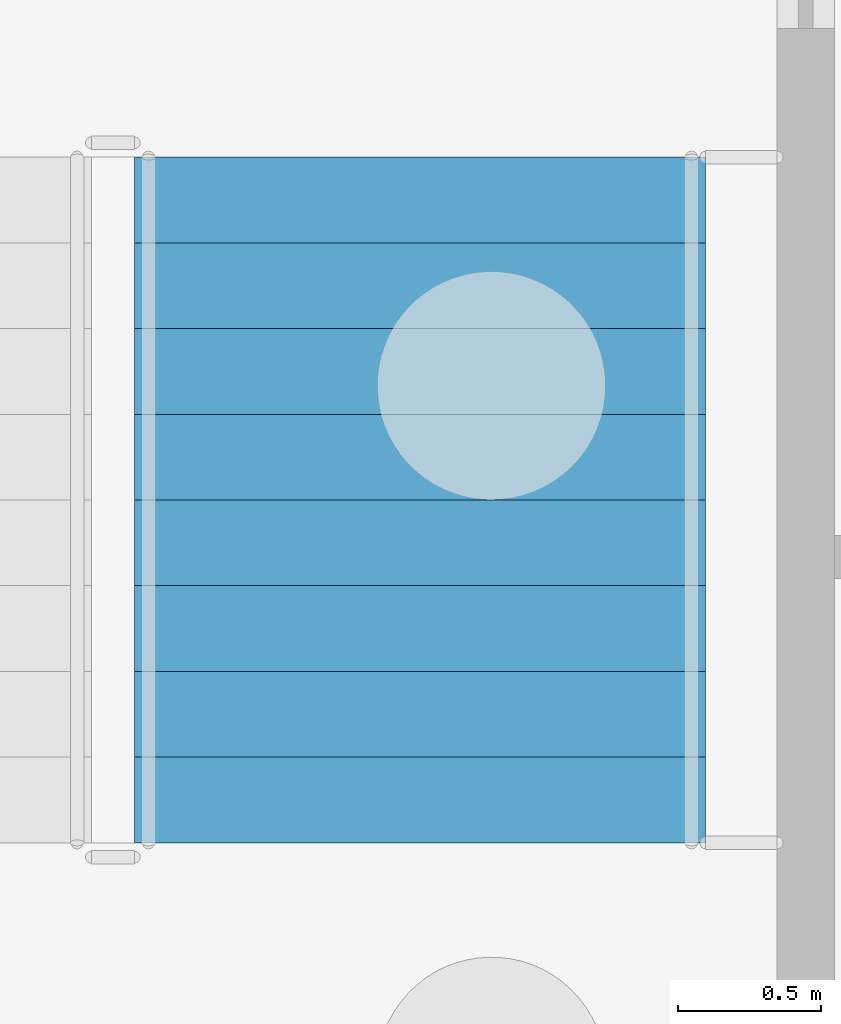
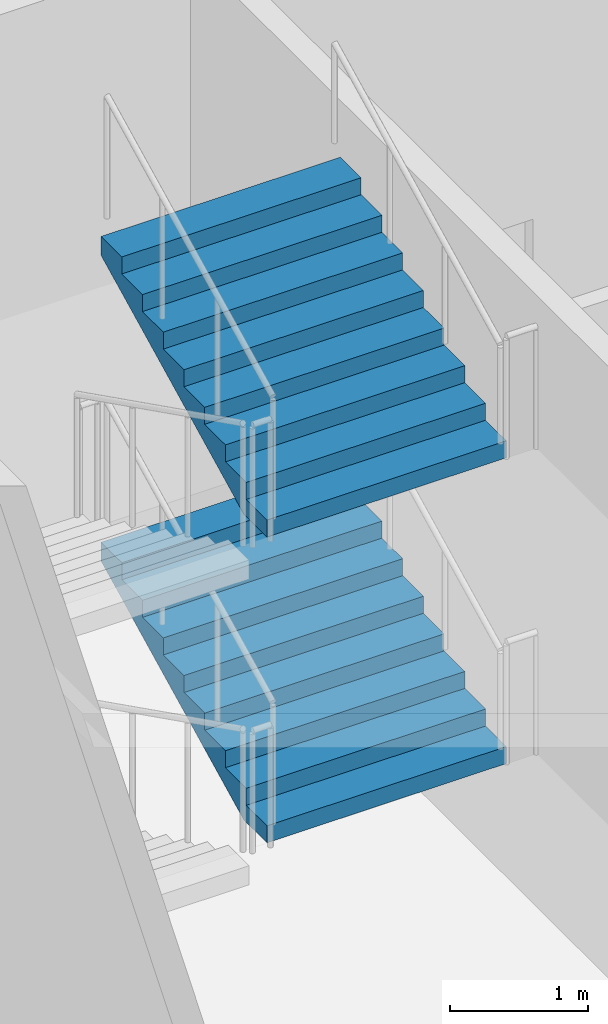
# One storey, part 87 of 129: 2 stair flights, 1 element without a shape of its own.
"""IFC4 building model written with IfcOpenShell, lengths in metres."""

from ifc_helpers import new_model, si_unit, direction, frame, origin, place, context, subcontext, project, spatial, faceted_brep, material, type_object, element, aggregate, save


model = new_model("IFC4")

# Units and contexts
model_context = context("Model", 3, precision=1e-05, world=origin(), true_north=direction((0.0, 1.0)))
body_context = subcontext(model_context, "Body", "Model", "MODEL_VIEW")
ifc_project = project(units=[si_unit("LENGTHUNIT", "METRE"), si_unit("AREAUNIT", "SQUARE_METRE"), si_unit("VOLUMEUNIT", "CUBIC_METRE"), si_unit("PLANEANGLEUNIT", "RADIAN"), si_unit("MASSUNIT", "GRAM", prefix="KILO")], contexts=[model_context])

# Site, building, storey
site_placement = place(None, origin())
site = spatial("IfcSite", under=ifc_project, at=site_placement, CompositionType="ELEMENT")
building_placement = place(site_placement, origin())
building = spatial("IfcBuilding", under=site, at=building_placement, Name="Kiln Court Media Centre", CompositionType="ELEMENT")
storey_placement = place(building_placement, origin())
storey = spatial("IfcBuildingStorey", under=building, at=storey_placement, Name="L00", CompositionType="ELEMENT", Elevation=0.0)

# Stair, stair flights
ifc_material_1 = material(Name="Concrete C40/50", Category="concrete")
stair_type = type_object("IfcStairType", Name="Concrete C40/50 dog-leg stair 2000 wide, 150 riser", PredefinedType="HALF_TURN_STAIR", material=ifc_material_1)
stair_placement = place(storey_placement, origin())
stair = element("IfcStair", 1, at=stair_placement, inside=storey, type_object=stair_type, Name="ST-07 L00", PredefinedType="HALF_TURN_STAIR")
ifc_material_2 = material(Name="Concrete C40/50", Category="concrete")
stair_flight_type = type_object("IfcStairFlightType", Name="Concrete C40/50 stair flight 2000 wide, 150 riser, 300 going", PredefinedType="STRAIGHT", material=ifc_material_2)
stair_flight_1_placement = place(storey_placement, frame((3.35009765625, 62.0, 1.35009765625), z_axis=(0.0, 0.0, 1.0), x_axis=(0.0, 1.0, 0.0)))
stair_flight_1 = element("IfcStairFlight", 2, at=stair_flight_1_placement, type_object=stair_flight_type, Name="L00-ST-5006 flight 5025", NumberOfRisers=9, NumberOfTreads=8, PredefinedType="STRAIGHT", RiserHeight=0.15, TreadLength=0.3, context=body_context, shape_type="Brep", body=[
    faceted_brep([(0.335205078125, -1.0, 0.0), (2.39990234375, -1.0, 1.032470703125), (2.39990234375, -1.0, 1.199951171875), (2.10009765625, -1.0, 1.199951171875), (2.10009765625, -1.0, 1.050048828125), (1.800048828125, -1.0, 1.050048828125), (1.800048828125, -1.0, 0.89990234375), (1.5, -1.0, 0.89990234375), (1.5, -1.0, 0.75), (1.199951171875, -1.0, 0.75), (1.199951171875, -1.0, 0.60009765625), (0.89990234375, -1.0, 0.60009765625), (0.89990234375, -1.0, 0.449951171875), (0.60009765625, -1.0, 0.449951171875), (0.60009765625, -1.0, 0.300048828125), (0.300048828125, -1.0, 0.300048828125), (0.300048828125, -1.0, 0.14990234375), (0.0, -1.0, 0.14990234375), (0.0, -1.0, 0.0), (0.0, 1.0, 0.0), (0.0, 1.0, 0.14990234375), (0.300048828125, 1.0, 0.14990234375), (0.300048828125, 1.0, 0.300048828125), (0.60009765625, 1.0, 0.300048828125), (0.60009765625, 1.0, 0.449951171875), (0.89990234375, 1.0, 0.449951171875), (0.89990234375, 1.0, 0.60009765625), (1.199951171875, 1.0, 0.60009765625), (1.199951171875, 1.0, 0.75), (1.5, 1.0, 0.75), (1.5, 1.0, 0.89990234375), (1.800048828125, 1.0, 0.89990234375), (1.800048828125, 1.0, 1.050048828125), (2.10009765625, 1.0, 1.050048828125), (2.10009765625, 1.0, 1.199951171875), (2.39990234375, 1.0, 1.199951171875), (2.39990234375, 1.0, 1.032470703125), (0.335205078125, 1.0, 0.0), (2.39990234375, 0.10009765625, 1.032470703125), (0.335205078125, 0.10009765625, 0.0), (2.39990234375, 0.080078125, 1.032470703125), (0.335205078125, 0.080078125, 0.0), (2.39990234375, 0.06005859375, 1.032470703125), (0.335205078125, 0.06005859375, 0.0), (2.39990234375, 0.0400390625, 1.032470703125), (0.335205078125, 0.0400390625, 0.0), (2.39990234375, 0.02001953125, 1.032470703125), (0.335205078125, 0.02001953125, 0.0), (2.39990234375, 0.0, 1.032470703125), (0.335205078125, 0.0, 0.0), (2.39990234375, -0.02001953125, 1.032470703125), (0.335205078125, -0.02001953125, 0.0), (2.39990234375, -0.0400390625, 1.032470703125), (0.335205078125, -0.0400390625, 0.0), (2.39990234375, -0.06005859375, 1.032470703125), (0.335205078125, -0.06005859375, 0.0), (2.39990234375, -0.080078125, 1.032470703125), (0.335205078125, -0.080078125, 0.0), (2.39990234375, -0.10009765625, 1.032470703125), (0.335205078125, -0.10009765625, 0.0), (2.39990234375, 0.10009765625, 1.199951171875), (2.39990234375, 0.080078125, 1.199951171875), (2.39990234375, 0.06005859375, 1.199951171875), (2.39990234375, 0.0400390625, 1.199951171875), (2.39990234375, 0.02001953125, 1.199951171875), (2.39990234375, 0.0, 1.199951171875), (2.39990234375, -0.02001953125, 1.199951171875), (2.39990234375, -0.0400390625, 1.199951171875), (2.39990234375, -0.06005859375, 1.199951171875), (2.39990234375, -0.080078125, 1.199951171875), (2.39990234375, -0.10009765625, 1.199951171875), (2.10009765625, 0.10009765625, 1.199951171875), (2.10009765625, 0.080078125, 1.199951171875), (2.10009765625, 0.06005859375, 1.199951171875), (2.10009765625, 0.0400390625, 1.199951171875), (2.10009765625, 0.02001953125, 1.199951171875), (2.10009765625, 0.0, 1.199951171875), (2.10009765625, -0.02001953125, 1.199951171875), (2.10009765625, -0.0400390625, 1.199951171875), (2.10009765625, -0.06005859375, 1.199951171875), (2.10009765625, -0.080078125, 1.199951171875), (2.10009765625, -0.10009765625, 1.199951171875), (2.10009765625, 0.10009765625, 1.050048828125), (2.10009765625, 0.080078125, 1.050048828125), (2.10009765625, 0.06005859375, 1.050048828125), (2.10009765625, 0.0400390625, 1.050048828125), (2.10009765625, 0.02001953125, 1.050048828125), (2.10009765625, 0.0, 1.050048828125), (2.10009765625, -0.02001953125, 1.050048828125), (2.10009765625, -0.0400390625, 1.050048828125), (2.10009765625, -0.06005859375, 1.050048828125), (2.10009765625, -0.080078125, 1.050048828125), (2.10009765625, -0.10009765625, 1.050048828125), (1.800048828125, 0.10009765625, 1.050048828125), (1.800048828125, 0.080078125, 1.050048828125), (1.800048828125, 0.06005859375, 1.050048828125), (1.800048828125, 0.0400390625, 1.050048828125), (1.800048828125, 0.02001953125, 1.050048828125), (1.800048828125, 0.0, 1.050048828125), (1.800048828125, -0.02001953125, 1.050048828125), (1.800048828125, -0.0400390625, 1.050048828125), (1.800048828125, -0.06005859375, 1.050048828125), (1.800048828125, -0.080078125, 1.050048828125), (1.800048828125, -0.10009765625, 1.050048828125), (1.800048828125, 0.10009765625, 0.89990234375), (1.800048828125, 0.080078125, 0.89990234375), (1.800048828125, 0.06005859375, 0.89990234375), (1.800048828125, 0.0400390625, 0.89990234375), (1.800048828125, 0.02001953125, 0.89990234375), (1.800048828125, 0.0, 0.89990234375), (1.800048828125, -0.02001953125, 0.89990234375), (1.800048828125, -0.0400390625, 0.89990234375), (1.800048828125, -0.06005859375, 0.89990234375), (1.800048828125, -0.080078125, 0.89990234375), (1.800048828125, -0.10009765625, 0.89990234375), (1.5, 0.10009765625, 0.89990234375), (1.5, 0.080078125, 0.89990234375), (1.5, 0.06005859375, 0.89990234375), (1.5, 0.0400390625, 0.89990234375), (1.5, 0.02001953125, 0.89990234375), (1.5, 0.0, 0.89990234375), (1.5, -0.02001953125, 0.89990234375), (1.5, -0.0400390625, 0.89990234375), (1.5, -0.06005859375, 0.89990234375), (1.5, -0.080078125, 0.89990234375), (1.5, -0.10009765625, 0.89990234375), (1.5, 0.10009765625, 0.75), (1.5, 0.080078125, 0.75), (1.5, 0.06005859375, 0.75), (1.5, 0.0400390625, 0.75), (1.5, 0.02001953125, 0.75), (1.5, 0.0, 0.75), (1.5, -0.02001953125, 0.75), (1.5, -0.0400390625, 0.75), (1.5, -0.06005859375, 0.75), (1.5, -0.080078125, 0.75), (1.5, -0.10009765625, 0.75), (1.199951171875, 0.10009765625, 0.75), (1.199951171875, 0.080078125, 0.75), (1.199951171875, 0.06005859375, 0.75), (1.199951171875, 0.0400390625, 0.75), (1.199951171875, 0.02001953125, 0.75), (1.199951171875, 0.0, 0.75), (1.199951171875, -0.02001953125, 0.75), (1.199951171875, -0.0400390625, 0.75), (1.199951171875, -0.06005859375, 0.75), (1.199951171875, -0.080078125, 0.75), (1.199951171875, -0.10009765625, 0.75), (1.199951171875, 0.10009765625, 0.60009765625), (1.199951171875, 0.080078125, 0.60009765625), (1.199951171875, 0.06005859375, 0.60009765625), (1.199951171875, 0.0400390625, 0.60009765625), (1.199951171875, 0.02001953125, 0.60009765625), (1.199951171875, 0.0, 0.60009765625), (1.199951171875, -0.02001953125, 0.60009765625), (1.199951171875, -0.0400390625, 0.60009765625), (1.199951171875, -0.06005859375, 0.60009765625), (1.199951171875, -0.080078125, 0.60009765625), (1.199951171875, -0.10009765625, 0.60009765625), (0.89990234375, 0.10009765625, 0.60009765625), (0.89990234375, 0.080078125, 0.60009765625), (0.89990234375, 0.06005859375, 0.60009765625), (0.89990234375, 0.0400390625, 0.60009765625), (0.89990234375, 0.02001953125, 0.60009765625), (0.89990234375, 0.0, 0.60009765625), (0.89990234375, -0.02001953125, 0.60009765625), (0.89990234375, -0.0400390625, 0.60009765625), (0.89990234375, -0.06005859375, 0.60009765625), (0.89990234375, -0.080078125, 0.60009765625), (0.89990234375, -0.10009765625, 0.60009765625), (0.89990234375, 0.10009765625, 0.449951171875), (0.89990234375, 0.080078125, 0.449951171875), (0.89990234375, 0.06005859375, 0.449951171875), (0.89990234375, 0.0400390625, 0.449951171875), (0.89990234375, 0.02001953125, 0.449951171875), (0.89990234375, 0.0, 0.449951171875), (0.89990234375, -0.02001953125, 0.449951171875), (0.89990234375, -0.0400390625, 0.449951171875), (0.89990234375, -0.06005859375, 0.449951171875), (0.89990234375, -0.080078125, 0.449951171875), (0.89990234375, -0.10009765625, 0.449951171875), (0.60009765625, 0.10009765625, 0.449951171875), (0.60009765625, 0.080078125, 0.449951171875), (0.60009765625, 0.06005859375, 0.449951171875), (0.60009765625, 0.0400390625, 0.449951171875), (0.60009765625, 0.02001953125, 0.449951171875), (0.60009765625, 0.0, 0.449951171875), (0.60009765625, -0.02001953125, 0.449951171875), (0.60009765625, -0.0400390625, 0.449951171875), (0.60009765625, -0.06005859375, 0.449951171875), (0.60009765625, -0.080078125, 0.449951171875), (0.60009765625, -0.10009765625, 0.449951171875), (0.60009765625, 0.10009765625, 0.300048828125), (0.60009765625, 0.080078125, 0.300048828125), (0.60009765625, 0.06005859375, 0.300048828125), (0.60009765625, 0.0400390625, 0.300048828125), (0.60009765625, 0.02001953125, 0.300048828125), (0.60009765625, 0.0, 0.300048828125), (0.60009765625, -0.02001953125, 0.300048828125), (0.60009765625, -0.0400390625, 0.300048828125), (0.60009765625, -0.06005859375, 0.300048828125), (0.60009765625, -0.080078125, 0.300048828125), (0.60009765625, -0.10009765625, 0.300048828125), (0.300048828125, 0.10009765625, 0.300048828125), (0.300048828125, 0.080078125, 0.300048828125), (0.300048828125, 0.06005859375, 0.300048828125), (0.300048828125, 0.0400390625, 0.300048828125), (0.300048828125, 0.02001953125, 0.300048828125), (0.300048828125, 0.0, 0.300048828125), (0.300048828125, -0.02001953125, 0.300048828125), (0.300048828125, -0.0400390625, 0.300048828125), (0.300048828125, -0.06005859375, 0.300048828125), (0.300048828125, -0.080078125, 0.300048828125), (0.300048828125, -0.10009765625, 0.300048828125), (0.300048828125, 0.10009765625, 0.14990234375), (0.300048828125, 0.080078125, 0.14990234375), (0.300048828125, 0.06005859375, 0.14990234375), (0.300048828125, 0.0400390625, 0.14990234375), (0.300048828125, 0.02001953125, 0.14990234375), (0.300048828125, 0.0, 0.14990234375), (0.300048828125, -0.02001953125, 0.14990234375), (0.300048828125, -0.0400390625, 0.14990234375), (0.300048828125, -0.06005859375, 0.14990234375), (0.300048828125, -0.080078125, 0.14990234375), (0.300048828125, -0.10009765625, 0.14990234375), (0.0, 0.10009765625, 0.14990234375), (0.0, 0.080078125, 0.14990234375), (0.0, 0.06005859375, 0.14990234375), (0.0, 0.0400390625, 0.14990234375), (0.0, 0.02001953125, 0.14990234375), (0.0, 0.0, 0.14990234375), (0.0, -0.02001953125, 0.14990234375), (0.0, -0.0400390625, 0.14990234375), (0.0, -0.06005859375, 0.14990234375), (0.0, -0.080078125, 0.14990234375), (0.0, -0.10009765625, 0.14990234375), (0.0, 0.10009765625, 0.0), (0.0, 0.080078125, 0.0), (0.0, 0.06005859375, 0.0), (0.0, 0.0400390625, 0.0), (0.0, 0.02001953125, 0.0), (0.0, 0.0, 0.0), (0.0, -0.02001953125, 0.0), (0.0, -0.0400390625, 0.0), (0.0, -0.06005859375, 0.0), (0.0, -0.080078125, 0.0), (0.0, -0.10009765625, 0.0)], [[[0, 1, 2, 3, 4, 5, 6, 7, 8, 9, 10, 11, 12, 13, 14, 15, 16, 17, 18]], [[19, 20, 21, 22, 23, 24, 25, 26, 27, 28, 29, 30, 31, 32, 33, 34, 35, 36, 37]], [[37, 36, 38, 39]], [[39, 38, 40, 41]], [[41, 40, 42, 43]], [[43, 42, 44, 45]], [[45, 44, 46, 47]], [[47, 46, 48, 49]], [[49, 48, 50, 51]], [[51, 50, 52, 53]], [[53, 52, 54, 55]], [[55, 54, 56, 57]], [[57, 56, 58, 59]], [[59, 58, 1, 0]], [[36, 35, 60, 38]], [[38, 60, 61, 40]], [[40, 61, 62, 42]], [[42, 62, 63, 44]], [[44, 63, 64, 46]], [[46, 64, 65, 48]], [[48, 65, 66, 50]], [[50, 66, 67, 52]], [[52, 67, 68, 54]], [[54, 68, 69, 56]], [[56, 69, 70, 58]], [[58, 70, 2, 1]], [[35, 34, 71, 60]], [[60, 71, 72, 61]], [[61, 72, 73, 62]], [[62, 73, 74, 63]], [[63, 74, 75, 64]], [[64, 75, 76, 65]], [[65, 76, 77, 66]], [[66, 77, 78, 67]], [[67, 78, 79, 68]], [[68, 79, 80, 69]], [[69, 80, 81, 70]], [[70, 81, 3, 2]], [[34, 33, 82, 71]], [[71, 82, 83, 72]], [[72, 83, 84, 73]], [[73, 84, 85, 74]], [[74, 85, 86, 75]], [[75, 86, 87, 76]], [[76, 87, 88, 77]], [[77, 88, 89, 78]], [[78, 89, 90, 79]], [[79, 90, 91, 80]], [[80, 91, 92, 81]], [[81, 92, 4, 3]], [[33, 32, 93, 82]], [[82, 93, 94, 83]], [[83, 94, 95, 84]], [[84, 95, 96, 85]], [[85, 96, 97, 86]], [[86, 97, 98, 87]], [[87, 98, 99, 88]], [[88, 99, 100, 89]], [[89, 100, 101, 90]], [[90, 101, 102, 91]], [[91, 102, 103, 92]], [[92, 103, 5, 4]], [[32, 31, 104, 93]], [[93, 104, 105, 94]], [[94, 105, 106, 95]], [[95, 106, 107, 96]], [[96, 107, 108, 97]], [[97, 108, 109, 98]], [[98, 109, 110, 99]], [[99, 110, 111, 100]], [[100, 111, 112, 101]], [[101, 112, 113, 102]], [[102, 113, 114, 103]], [[103, 114, 6, 5]], [[31, 30, 115, 104]], [[104, 115, 116, 105]], [[105, 116, 117, 106]], [[106, 117, 118, 107]], [[107, 118, 119, 108]], [[108, 119, 120, 109]], [[109, 120, 121, 110]], [[110, 121, 122, 111]], [[111, 122, 123, 112]], [[112, 123, 124, 113]], [[113, 124, 125, 114]], [[114, 125, 7, 6]], [[30, 29, 126, 115]], [[115, 126, 127, 116]], [[116, 127, 128, 117]], [[117, 128, 129, 118]], [[118, 129, 130, 119]], [[119, 130, 131, 120]], [[120, 131, 132, 121]], [[121, 132, 133, 122]], [[122, 133, 134, 123]], [[123, 134, 135, 124]], [[124, 135, 136, 125]], [[125, 136, 8, 7]], [[29, 28, 137, 126]], [[126, 137, 138, 127]], [[127, 138, 139, 128]], [[128, 139, 140, 129]], [[129, 140, 141, 130]], [[130, 141, 142, 131]], [[131, 142, 143, 132]], [[132, 143, 144, 133]], [[133, 144, 145, 134]], [[134, 145, 146, 135]], [[135, 146, 147, 136]], [[136, 147, 9, 8]], [[28, 27, 148, 137]], [[137, 148, 149, 138]], [[138, 149, 150, 139]], [[139, 150, 151, 140]], [[140, 151, 152, 141]], [[141, 152, 153, 142]], [[142, 153, 154, 143]], [[143, 154, 155, 144]], [[144, 155, 156, 145]], [[145, 156, 157, 146]], [[146, 157, 158, 147]], [[147, 158, 10, 9]], [[27, 26, 159, 148]], [[148, 159, 160, 149]], [[149, 160, 161, 150]], [[150, 161, 162, 151]], [[151, 162, 163, 152]], [[152, 163, 164, 153]], [[153, 164, 165, 154]], [[154, 165, 166, 155]], [[155, 166, 167, 156]], [[156, 167, 168, 157]], [[157, 168, 169, 158]], [[158, 169, 11, 10]], [[26, 25, 170, 159]], [[159, 170, 171, 160]], [[160, 171, 172, 161]], [[161, 172, 173, 162]], [[162, 173, 174, 163]], [[163, 174, 175, 164]], [[164, 175, 176, 165]], [[165, 176, 177, 166]], [[166, 177, 178, 167]], [[167, 178, 179, 168]], [[168, 179, 180, 169]], [[169, 180, 12, 11]], [[25, 24, 181, 170]], [[170, 181, 182, 171]], [[171, 182, 183, 172]], [[172, 183, 184, 173]], [[173, 184, 185, 174]], [[174, 185, 186, 175]], [[175, 186, 187, 176]], [[176, 187, 188, 177]], [[177, 188, 189, 178]], [[178, 189, 190, 179]], [[179, 190, 191, 180]], [[180, 191, 13, 12]], [[24, 23, 192, 181]], [[181, 192, 193, 182]], [[182, 193, 194, 183]], [[183, 194, 195, 184]], [[184, 195, 196, 185]], [[185, 196, 197, 186]], [[186, 197, 198, 187]], [[187, 198, 199, 188]], [[188, 199, 200, 189]], [[189, 200, 201, 190]], [[190, 201, 202, 191]], [[191, 202, 14, 13]], [[23, 22, 203, 192]], [[192, 203, 204, 193]], [[193, 204, 205, 194]], [[194, 205, 206, 195]], [[195, 206, 207, 196]], [[196, 207, 208, 197]], [[197, 208, 209, 198]], [[198, 209, 210, 199]], [[199, 210, 211, 200]], [[200, 211, 212, 201]], [[201, 212, 213, 202]], [[202, 213, 15, 14]], [[22, 21, 214, 203]], [[203, 214, 215, 204]], [[204, 215, 216, 205]], [[205, 216, 217, 206]], [[206, 217, 218, 207]], [[207, 218, 219, 208]], [[208, 219, 220, 209]], [[209, 220, 221, 210]], [[210, 221, 222, 211]], [[211, 222, 223, 212]], [[212, 223, 224, 213]], [[213, 224, 16, 15]], [[21, 20, 225, 214]], [[214, 225, 226, 215]], [[215, 226, 227, 216]], [[216, 227, 228, 217]], [[217, 228, 229, 218]], [[218, 229, 230, 219]], [[219, 230, 231, 220]], [[220, 231, 232, 221]], [[221, 232, 233, 222]], [[222, 233, 234, 223]], [[223, 234, 235, 224]], [[224, 235, 17, 16]], [[20, 19, 236, 225]], [[225, 236, 237, 226]], [[226, 237, 238, 227]], [[227, 238, 239, 228]], [[228, 239, 240, 229]], [[229, 240, 241, 230]], [[230, 241, 242, 231]], [[231, 242, 243, 232]], [[232, 243, 244, 233]], [[233, 244, 245, 234]], [[234, 245, 246, 235]], [[235, 246, 18, 17]], [[19, 37, 39, 236]], [[236, 39, 41, 237]], [[237, 41, 43, 238]], [[238, 43, 45, 239]], [[239, 45, 47, 240]], [[240, 47, 49, 241]], [[241, 49, 51, 242]], [[242, 51, 53, 243]], [[243, 53, 55, 244]], [[244, 55, 57, 245]], [[245, 57, 59, 246]], [[246, 59, 0, 18]]]),
])
stair_flight_2_placement = place(storey_placement, frame((3.35009765625, 62.0, 4.050048828125), z_axis=(0.0, 0.0, 1.0), x_axis=(0.0, 1.0, 0.0)))
stair_flight_2 = element("IfcStairFlight", 3, at=stair_flight_2_placement, type_object=stair_flight_type, Name="L00-ST-5006 flight 5027", NumberOfRisers=9, NumberOfTreads=8, PredefinedType="STRAIGHT", RiserHeight=0.15, TreadLength=0.3, context=body_context, shape_type="Brep", body=[
    faceted_brep([(0.335205078125, -1.0, 0.0), (2.39990234375, -1.0, 1.032470703125), (2.39990234375, -1.0, 1.199951171875), (2.10009765625, -1.0, 1.199951171875), (2.10009765625, -1.0, 1.050048828125), (1.800048828125, -1.0, 1.050048828125), (1.800048828125, -1.0, 0.89990234375), (1.5, -1.0, 0.89990234375), (1.5, -1.0, 0.75), (1.199951171875, -1.0, 0.75), (1.199951171875, -1.0, 0.60009765625), (0.89990234375, -1.0, 0.60009765625), (0.89990234375, -1.0, 0.449951171875), (0.60009765625, -1.0, 0.449951171875), (0.60009765625, -1.0, 0.300048828125), (0.300048828125, -1.0, 0.300048828125), (0.300048828125, -1.0, 0.14990234375), (0.0, -1.0, 0.14990234375), (0.0, -1.0, 0.0), (0.0, 1.0, 0.0), (0.0, 1.0, 0.14990234375), (0.300048828125, 1.0, 0.14990234375), (0.300048828125, 1.0, 0.300048828125), (0.60009765625, 1.0, 0.300048828125), (0.60009765625, 1.0, 0.449951171875), (0.89990234375, 1.0, 0.449951171875), (0.89990234375, 1.0, 0.60009765625), (1.199951171875, 1.0, 0.60009765625), (1.199951171875, 1.0, 0.75), (1.5, 1.0, 0.75), (1.5, 1.0, 0.89990234375), (1.800048828125, 1.0, 0.89990234375), (1.800048828125, 1.0, 1.050048828125), (2.10009765625, 1.0, 1.050048828125), (2.10009765625, 1.0, 1.199951171875), (2.39990234375, 1.0, 1.199951171875), (2.39990234375, 1.0, 1.032470703125), (0.335205078125, 1.0, 0.0), (2.39990234375, 0.10009765625, 1.032470703125), (0.335205078125, 0.10009765625, 0.0), (2.39990234375, 0.080078125, 1.032470703125), (0.335205078125, 0.080078125, 0.0), (2.39990234375, 0.06005859375, 1.032470703125), (0.335205078125, 0.06005859375, 0.0), (2.39990234375, 0.0400390625, 1.032470703125), (0.335205078125, 0.0400390625, 0.0), (2.39990234375, 0.02001953125, 1.032470703125), (0.335205078125, 0.02001953125, 0.0), (2.39990234375, 0.0, 1.032470703125), (0.335205078125, 0.0, 0.0), (2.39990234375, -0.02001953125, 1.032470703125), (0.335205078125, -0.02001953125, 0.0), (2.39990234375, -0.0400390625, 1.032470703125), (0.335205078125, -0.0400390625, 0.0), (2.39990234375, -0.06005859375, 1.032470703125), (0.335205078125, -0.06005859375, 0.0), (2.39990234375, -0.080078125, 1.032470703125), (0.335205078125, -0.080078125, 0.0), (2.39990234375, -0.10009765625, 1.032470703125), (0.335205078125, -0.10009765625, 0.0), (2.39990234375, 0.10009765625, 1.199951171875), (2.39990234375, 0.080078125, 1.199951171875), (2.39990234375, 0.06005859375, 1.199951171875), (2.39990234375, 0.0400390625, 1.199951171875), (2.39990234375, 0.02001953125, 1.199951171875), (2.39990234375, 0.0, 1.199951171875), (2.39990234375, -0.02001953125, 1.199951171875), (2.39990234375, -0.0400390625, 1.199951171875), (2.39990234375, -0.06005859375, 1.199951171875), (2.39990234375, -0.080078125, 1.199951171875), (2.39990234375, -0.10009765625, 1.199951171875), (2.10009765625, 0.10009765625, 1.199951171875), (2.10009765625, 0.080078125, 1.199951171875), (2.10009765625, 0.06005859375, 1.199951171875), (2.10009765625, 0.0400390625, 1.199951171875), (2.10009765625, 0.02001953125, 1.199951171875), (2.10009765625, 0.0, 1.199951171875), (2.10009765625, -0.02001953125, 1.199951171875), (2.10009765625, -0.0400390625, 1.199951171875), (2.10009765625, -0.06005859375, 1.199951171875), (2.10009765625, -0.080078125, 1.199951171875), (2.10009765625, -0.10009765625, 1.199951171875), (2.10009765625, 0.10009765625, 1.050048828125), (2.10009765625, 0.080078125, 1.050048828125), (2.10009765625, 0.06005859375, 1.050048828125), (2.10009765625, 0.0400390625, 1.050048828125), (2.10009765625, 0.02001953125, 1.050048828125), (2.10009765625, 0.0, 1.050048828125), (2.10009765625, -0.02001953125, 1.050048828125), (2.10009765625, -0.0400390625, 1.050048828125), (2.10009765625, -0.06005859375, 1.050048828125), (2.10009765625, -0.080078125, 1.050048828125), (2.10009765625, -0.10009765625, 1.050048828125), (1.800048828125, 0.10009765625, 1.050048828125), (1.800048828125, 0.080078125, 1.050048828125), (1.800048828125, 0.06005859375, 1.050048828125), (1.800048828125, 0.0400390625, 1.050048828125), (1.800048828125, 0.02001953125, 1.050048828125), (1.800048828125, 0.0, 1.050048828125), (1.800048828125, -0.02001953125, 1.050048828125), (1.800048828125, -0.0400390625, 1.050048828125), (1.800048828125, -0.06005859375, 1.050048828125), (1.800048828125, -0.080078125, 1.050048828125), (1.800048828125, -0.10009765625, 1.050048828125), (1.800048828125, 0.10009765625, 0.89990234375), (1.800048828125, 0.080078125, 0.89990234375), (1.800048828125, 0.06005859375, 0.89990234375), (1.800048828125, 0.0400390625, 0.89990234375), (1.800048828125, 0.02001953125, 0.89990234375), (1.800048828125, 0.0, 0.89990234375), (1.800048828125, -0.02001953125, 0.89990234375), (1.800048828125, -0.0400390625, 0.89990234375), (1.800048828125, -0.06005859375, 0.89990234375), (1.800048828125, -0.080078125, 0.89990234375), (1.800048828125, -0.10009765625, 0.89990234375), (1.5, 0.10009765625, 0.89990234375), (1.5, 0.080078125, 0.89990234375), (1.5, 0.06005859375, 0.89990234375), (1.5, 0.0400390625, 0.89990234375), (1.5, 0.02001953125, 0.89990234375), (1.5, 0.0, 0.89990234375), (1.5, -0.02001953125, 0.89990234375), (1.5, -0.0400390625, 0.89990234375), (1.5, -0.06005859375, 0.89990234375), (1.5, -0.080078125, 0.89990234375), (1.5, -0.10009765625, 0.89990234375), (1.5, 0.10009765625, 0.75), (1.5, 0.080078125, 0.75), (1.5, 0.06005859375, 0.75), (1.5, 0.0400390625, 0.75), (1.5, 0.02001953125, 0.75), (1.5, 0.0, 0.75), (1.5, -0.02001953125, 0.75), (1.5, -0.0400390625, 0.75), (1.5, -0.06005859375, 0.75), (1.5, -0.080078125, 0.75), (1.5, -0.10009765625, 0.75), (1.199951171875, 0.10009765625, 0.75), (1.199951171875, 0.080078125, 0.75), (1.199951171875, 0.06005859375, 0.75), (1.199951171875, 0.0400390625, 0.75), (1.199951171875, 0.02001953125, 0.75), (1.199951171875, 0.0, 0.75), (1.199951171875, -0.02001953125, 0.75), (1.199951171875, -0.0400390625, 0.75), (1.199951171875, -0.06005859375, 0.75), (1.199951171875, -0.080078125, 0.75), (1.199951171875, -0.10009765625, 0.75), (1.199951171875, 0.10009765625, 0.60009765625), (1.199951171875, 0.080078125, 0.60009765625), (1.199951171875, 0.06005859375, 0.60009765625), (1.199951171875, 0.0400390625, 0.60009765625), (1.199951171875, 0.02001953125, 0.60009765625), (1.199951171875, 0.0, 0.60009765625), (1.199951171875, -0.02001953125, 0.60009765625), (1.199951171875, -0.0400390625, 0.60009765625), (1.199951171875, -0.06005859375, 0.60009765625), (1.199951171875, -0.080078125, 0.60009765625), (1.199951171875, -0.10009765625, 0.60009765625), (0.89990234375, 0.10009765625, 0.60009765625), (0.89990234375, 0.080078125, 0.60009765625), (0.89990234375, 0.06005859375, 0.60009765625), (0.89990234375, 0.0400390625, 0.60009765625), (0.89990234375, 0.02001953125, 0.60009765625), (0.89990234375, 0.0, 0.60009765625), (0.89990234375, -0.02001953125, 0.60009765625), (0.89990234375, -0.0400390625, 0.60009765625), (0.89990234375, -0.06005859375, 0.60009765625), (0.89990234375, -0.080078125, 0.60009765625), (0.89990234375, -0.10009765625, 0.60009765625), (0.89990234375, 0.10009765625, 0.449951171875), (0.89990234375, 0.080078125, 0.449951171875), (0.89990234375, 0.06005859375, 0.449951171875), (0.89990234375, 0.0400390625, 0.449951171875), (0.89990234375, 0.02001953125, 0.449951171875), (0.89990234375, 0.0, 0.449951171875), (0.89990234375, -0.02001953125, 0.449951171875), (0.89990234375, -0.0400390625, 0.449951171875), (0.89990234375, -0.06005859375, 0.449951171875), (0.89990234375, -0.080078125, 0.449951171875), (0.89990234375, -0.10009765625, 0.449951171875), (0.60009765625, 0.10009765625, 0.449951171875), (0.60009765625, 0.080078125, 0.449951171875), (0.60009765625, 0.06005859375, 0.449951171875), (0.60009765625, 0.0400390625, 0.449951171875), (0.60009765625, 0.02001953125, 0.449951171875), (0.60009765625, 0.0, 0.449951171875), (0.60009765625, -0.02001953125, 0.449951171875), (0.60009765625, -0.0400390625, 0.449951171875), (0.60009765625, -0.06005859375, 0.449951171875), (0.60009765625, -0.080078125, 0.449951171875), (0.60009765625, -0.10009765625, 0.449951171875), (0.60009765625, 0.10009765625, 0.300048828125), (0.60009765625, 0.080078125, 0.300048828125), (0.60009765625, 0.06005859375, 0.300048828125), (0.60009765625, 0.0400390625, 0.300048828125), (0.60009765625, 0.02001953125, 0.300048828125), (0.60009765625, 0.0, 0.300048828125), (0.60009765625, -0.02001953125, 0.300048828125), (0.60009765625, -0.0400390625, 0.300048828125), (0.60009765625, -0.06005859375, 0.300048828125), (0.60009765625, -0.080078125, 0.300048828125), (0.60009765625, -0.10009765625, 0.300048828125), (0.300048828125, 0.10009765625, 0.300048828125), (0.300048828125, 0.080078125, 0.300048828125), (0.300048828125, 0.06005859375, 0.300048828125), (0.300048828125, 0.0400390625, 0.300048828125), (0.300048828125, 0.02001953125, 0.300048828125), (0.300048828125, 0.0, 0.300048828125), (0.300048828125, -0.02001953125, 0.300048828125), (0.300048828125, -0.0400390625, 0.300048828125), (0.300048828125, -0.06005859375, 0.300048828125), (0.300048828125, -0.080078125, 0.300048828125), (0.300048828125, -0.10009765625, 0.300048828125), (0.300048828125, 0.10009765625, 0.14990234375), (0.300048828125, 0.080078125, 0.14990234375), (0.300048828125, 0.06005859375, 0.14990234375), (0.300048828125, 0.0400390625, 0.14990234375), (0.300048828125, 0.02001953125, 0.14990234375), (0.300048828125, 0.0, 0.14990234375), (0.300048828125, -0.02001953125, 0.14990234375), (0.300048828125, -0.0400390625, 0.14990234375), (0.300048828125, -0.06005859375, 0.14990234375), (0.300048828125, -0.080078125, 0.14990234375), (0.300048828125, -0.10009765625, 0.14990234375), (0.0, 0.10009765625, 0.14990234375), (0.0, 0.080078125, 0.14990234375), (0.0, 0.06005859375, 0.14990234375), (0.0, 0.0400390625, 0.14990234375), (0.0, 0.02001953125, 0.14990234375), (0.0, 0.0, 0.14990234375), (0.0, -0.02001953125, 0.14990234375), (0.0, -0.0400390625, 0.14990234375), (0.0, -0.06005859375, 0.14990234375), (0.0, -0.080078125, 0.14990234375), (0.0, -0.10009765625, 0.14990234375), (0.0, 0.10009765625, 0.0), (0.0, 0.080078125, 0.0), (0.0, 0.06005859375, 0.0), (0.0, 0.0400390625, 0.0), (0.0, 0.02001953125, 0.0), (0.0, 0.0, 0.0), (0.0, -0.02001953125, 0.0), (0.0, -0.0400390625, 0.0), (0.0, -0.06005859375, 0.0), (0.0, -0.080078125, 0.0), (0.0, -0.10009765625, 0.0)], [[[0, 1, 2, 3, 4, 5, 6, 7, 8, 9, 10, 11, 12, 13, 14, 15, 16, 17, 18]], [[19, 20, 21, 22, 23, 24, 25, 26, 27, 28, 29, 30, 31, 32, 33, 34, 35, 36, 37]], [[37, 36, 38, 39]], [[39, 38, 40, 41]], [[41, 40, 42, 43]], [[43, 42, 44, 45]], [[45, 44, 46, 47]], [[47, 46, 48, 49]], [[49, 48, 50, 51]], [[51, 50, 52, 53]], [[53, 52, 54, 55]], [[55, 54, 56, 57]], [[57, 56, 58, 59]], [[59, 58, 1, 0]], [[36, 35, 60, 38]], [[38, 60, 61, 40]], [[40, 61, 62, 42]], [[42, 62, 63, 44]], [[44, 63, 64, 46]], [[46, 64, 65, 48]], [[48, 65, 66, 50]], [[50, 66, 67, 52]], [[52, 67, 68, 54]], [[54, 68, 69, 56]], [[56, 69, 70, 58]], [[58, 70, 2, 1]], [[35, 34, 71, 60]], [[60, 71, 72, 61]], [[61, 72, 73, 62]], [[62, 73, 74, 63]], [[63, 74, 75, 64]], [[64, 75, 76, 65]], [[65, 76, 77, 66]], [[66, 77, 78, 67]], [[67, 78, 79, 68]], [[68, 79, 80, 69]], [[69, 80, 81, 70]], [[70, 81, 3, 2]], [[34, 33, 82, 71]], [[71, 82, 83, 72]], [[72, 83, 84, 73]], [[73, 84, 85, 74]], [[74, 85, 86, 75]], [[75, 86, 87, 76]], [[76, 87, 88, 77]], [[77, 88, 89, 78]], [[78, 89, 90, 79]], [[79, 90, 91, 80]], [[80, 91, 92, 81]], [[81, 92, 4, 3]], [[33, 32, 93, 82]], [[82, 93, 94, 83]], [[83, 94, 95, 84]], [[84, 95, 96, 85]], [[85, 96, 97, 86]], [[86, 97, 98, 87]], [[87, 98, 99, 88]], [[88, 99, 100, 89]], [[89, 100, 101, 90]], [[90, 101, 102, 91]], [[91, 102, 103, 92]], [[92, 103, 5, 4]], [[32, 31, 104, 93]], [[93, 104, 105, 94]], [[94, 105, 106, 95]], [[95, 106, 107, 96]], [[96, 107, 108, 97]], [[97, 108, 109, 98]], [[98, 109, 110, 99]], [[99, 110, 111, 100]], [[100, 111, 112, 101]], [[101, 112, 113, 102]], [[102, 113, 114, 103]], [[103, 114, 6, 5]], [[31, 30, 115, 104]], [[104, 115, 116, 105]], [[105, 116, 117, 106]], [[106, 117, 118, 107]], [[107, 118, 119, 108]], [[108, 119, 120, 109]], [[109, 120, 121, 110]], [[110, 121, 122, 111]], [[111, 122, 123, 112]], [[112, 123, 124, 113]], [[113, 124, 125, 114]], [[114, 125, 7, 6]], [[30, 29, 126, 115]], [[115, 126, 127, 116]], [[116, 127, 128, 117]], [[117, 128, 129, 118]], [[118, 129, 130, 119]], [[119, 130, 131, 120]], [[120, 131, 132, 121]], [[121, 132, 133, 122]], [[122, 133, 134, 123]], [[123, 134, 135, 124]], [[124, 135, 136, 125]], [[125, 136, 8, 7]], [[29, 28, 137, 126]], [[126, 137, 138, 127]], [[127, 138, 139, 128]], [[128, 139, 140, 129]], [[129, 140, 141, 130]], [[130, 141, 142, 131]], [[131, 142, 143, 132]], [[132, 143, 144, 133]], [[133, 144, 145, 134]], [[134, 145, 146, 135]], [[135, 146, 147, 136]], [[136, 147, 9, 8]], [[28, 27, 148, 137]], [[137, 148, 149, 138]], [[138, 149, 150, 139]], [[139, 150, 151, 140]], [[140, 151, 152, 141]], [[141, 152, 153, 142]], [[142, 153, 154, 143]], [[143, 154, 155, 144]], [[144, 155, 156, 145]], [[145, 156, 157, 146]], [[146, 157, 158, 147]], [[147, 158, 10, 9]], [[27, 26, 159, 148]], [[148, 159, 160, 149]], [[149, 160, 161, 150]], [[150, 161, 162, 151]], [[151, 162, 163, 152]], [[152, 163, 164, 153]], [[153, 164, 165, 154]], [[154, 165, 166, 155]], [[155, 166, 167, 156]], [[156, 167, 168, 157]], [[157, 168, 169, 158]], [[158, 169, 11, 10]], [[26, 25, 170, 159]], [[159, 170, 171, 160]], [[160, 171, 172, 161]], [[161, 172, 173, 162]], [[162, 173, 174, 163]], [[163, 174, 175, 164]], [[164, 175, 176, 165]], [[165, 176, 177, 166]], [[166, 177, 178, 167]], [[167, 178, 179, 168]], [[168, 179, 180, 169]], [[169, 180, 12, 11]], [[25, 24, 181, 170]], [[170, 181, 182, 171]], [[171, 182, 183, 172]], [[172, 183, 184, 173]], [[173, 184, 185, 174]], [[174, 185, 186, 175]], [[175, 186, 187, 176]], [[176, 187, 188, 177]], [[177, 188, 189, 178]], [[178, 189, 190, 179]], [[179, 190, 191, 180]], [[180, 191, 13, 12]], [[24, 23, 192, 181]], [[181, 192, 193, 182]], [[182, 193, 194, 183]], [[183, 194, 195, 184]], [[184, 195, 196, 185]], [[185, 196, 197, 186]], [[186, 197, 198, 187]], [[187, 198, 199, 188]], [[188, 199, 200, 189]], [[189, 200, 201, 190]], [[190, 201, 202, 191]], [[191, 202, 14, 13]], [[23, 22, 203, 192]], [[192, 203, 204, 193]], [[193, 204, 205, 194]], [[194, 205, 206, 195]], [[195, 206, 207, 196]], [[196, 207, 208, 197]], [[197, 208, 209, 198]], [[198, 209, 210, 199]], [[199, 210, 211, 200]], [[200, 211, 212, 201]], [[201, 212, 213, 202]], [[202, 213, 15, 14]], [[22, 21, 214, 203]], [[203, 214, 215, 204]], [[204, 215, 216, 205]], [[205, 216, 217, 206]], [[206, 217, 218, 207]], [[207, 218, 219, 208]], [[208, 219, 220, 209]], [[209, 220, 221, 210]], [[210, 221, 222, 211]], [[211, 222, 223, 212]], [[212, 223, 224, 213]], [[213, 224, 16, 15]], [[21, 20, 225, 214]], [[214, 225, 226, 215]], [[215, 226, 227, 216]], [[216, 227, 228, 217]], [[217, 228, 229, 218]], [[218, 229, 230, 219]], [[219, 230, 231, 220]], [[220, 231, 232, 221]], [[221, 232, 233, 222]], [[222, 233, 234, 223]], [[223, 234, 235, 224]], [[224, 235, 17, 16]], [[20, 19, 236, 225]], [[225, 236, 237, 226]], [[226, 237, 238, 227]], [[227, 238, 239, 228]], [[228, 239, 240, 229]], [[229, 240, 241, 230]], [[230, 241, 242, 231]], [[231, 242, 243, 232]], [[232, 243, 244, 233]], [[233, 244, 245, 234]], [[234, 245, 246, 235]], [[235, 246, 18, 17]], [[19, 37, 39, 236]], [[236, 39, 41, 237]], [[237, 41, 43, 238]], [[238, 43, 45, 239]], [[239, 45, 47, 240]], [[240, 47, 49, 241]], [[241, 49, 51, 242]], [[242, 51, 53, 243]], [[243, 53, 55, 244]], [[244, 55, 57, 245]], [[245, 57, 59, 246]], [[246, 59, 0, 18]]]),
])
aggregate(stair, [stair_flight_1, stair_flight_2])

save(model, "model.ifc")
